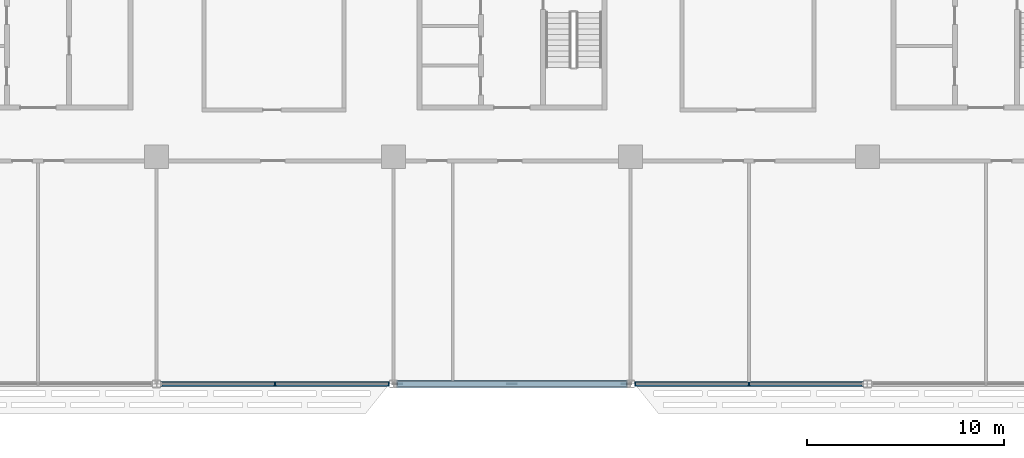
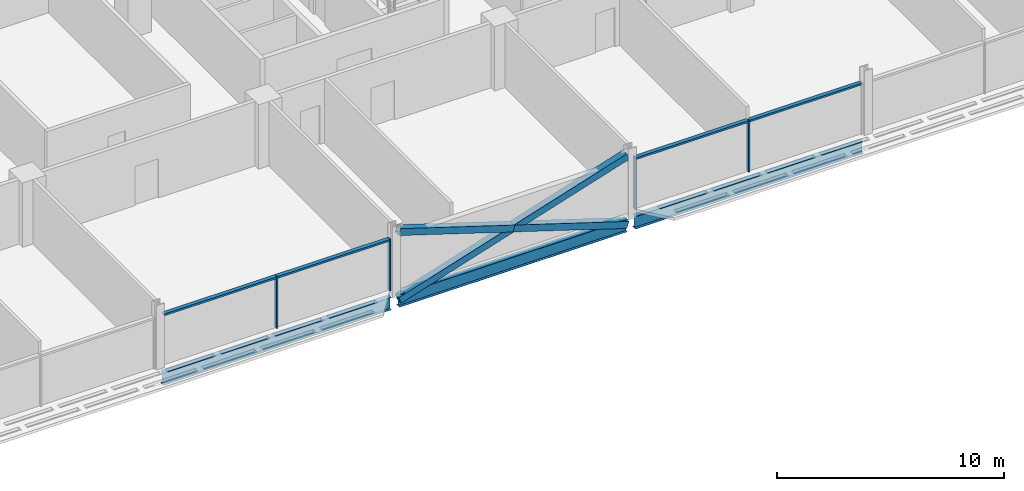
# One storey, part 5 of 27: 11 members, 3 beams, 2 elements without a shape of their own.
"""IFC4 building model written with IfcOpenShell, lengths in metres."""

import ifcopenshell
import ifcopenshell.guid

model = None  # the IFC model being written
_history = None  # IfcOwnerHistory: only IFC2X3 demands one
_inside = {}  # id of a spatial element -> (the spatial element, [elements in it])
_under = {}  # id of a project, library or spatial element -> (it, [spatial elements below it])
_declared = {}  # id of a project -> (the project, [libraries it declares])
_typed = {}  # id of a type object -> (the type object, [elements of that type])
_made_of = {}  # id of a material, layer set ... -> (it, [elements and type objects made of it])


def new_model(schema):
    """Start an empty IFC model of exactly this schema.

    Asked for "IFC4X3", IfcOpenShell would pick the latest addendum, in which some entities
    have other attributes; the version numbers below select the first issue.
    IFC2X3 requires an IfcOwnerHistory on every rooted entity: one is made here for all.
    """
    global model, _history
    if schema == "IFC4X3":
        model = ifcopenshell.file(schema_version=(4, 3, 0, 0))
    else:
        model = ifcopenshell.file(schema=schema)
    _inside.clear()
    _under.clear()
    _declared.clear()
    _typed.clear()
    _made_of.clear()
    _history = None
    if model.schema == "IFC2X3":
        org = make("IfcOrganization", Name="unknown")
        user = make(
            "IfcPersonAndOrganization",
            ThePerson=make("IfcPerson", FamilyName="unknown"),
            TheOrganization=org,
        )
        app = make(
            "IfcApplication",
            ApplicationDeveloper=org,
            Version="unknown",
            ApplicationFullName="unknown",
            ApplicationIdentifier="unknown",
        )
        _history = make(
            "IfcOwnerHistory",
            OwningUser=user,
            OwningApplication=app,
            ChangeAction="ADDED",
            CreationDate=0,
        )
    return model


def make(cls, **values):
    """One entity of the class cls with the attributes given. An attribute that is None is left unset."""
    return model.create_entity(
        cls, **{name: value for name, value in values.items() if value is not None}
    )


def rooted(cls, **values):
    """An entity with a GlobalId (a new one), such as an element, a storey or a relation."""
    return make(cls, GlobalId=ifcopenshell.guid.new(), OwnerHistory=_history, **values)


def si_unit(unit_type, name, prefix=None):
    """IfcSIUnit, for example si_unit("LENGTHUNIT", "METRE", prefix="MILLI")."""
    return make("IfcSIUnit", UnitType=unit_type, Prefix=prefix, Name=name)


def assignment(units):
    """IfcUnitAssignment: the units of a project."""
    return None if units is None else make("IfcUnitAssignment", Units=units)


def point(xyz):
    """IfcCartesianPoint."""
    return None if xyz is None else make("IfcCartesianPoint", Coordinates=xyz)


def direction(xyz):
    """IfcDirection."""
    return None if xyz is None else make("IfcDirection", DirectionRatios=xyz)


def frame(location, z_axis=None, x_axis=None):
    """IfcAxis2Placement3D, a coordinate frame: its origin and axes. An axis left out is left unset."""
    return make(
        "IfcAxis2Placement3D",
        Location=point(location),
        Axis=direction(z_axis),
        RefDirection=direction(x_axis),
    )


def frame_2d(location, x_axis=None):
    """IfcAxis2Placement2D, a coordinate frame in the plane: its origin and x axis."""
    return make(
        "IfcAxis2Placement2D", Location=point(location), RefDirection=direction(x_axis)
    )


def origin():
    """The frame at (0, 0, 0) with its axes left unset."""
    return frame((0.0, 0.0, 0.0))


def origin_2d():
    """The frame at (0, 0) in the plane with its x axis left unset."""
    return frame_2d((0.0, 0.0))


def place(relative_to, where):
    """IfcLocalPlacement: puts the frame where relative to a parent placement (None: the world)."""
    return make(
        "IfcLocalPlacement", PlacementRelTo=relative_to, RelativePlacement=where
    )


def context(
    kind, dimensions, precision=None, world=None, true_north=None, identifier=None
):
    """IfcGeometricRepresentationContext, for example the 3D "Model" context."""
    return make(
        "IfcGeometricRepresentationContext",
        ContextIdentifier=identifier,
        ContextType=kind,
        CoordinateSpaceDimension=dimensions,
        Precision=precision,
        WorldCoordinateSystem=world,
        TrueNorth=true_north,
    )


def subcontext(parent, identifier, kind, view, scale=None):
    """IfcGeometricRepresentationSubContext, for example "Body" below "Model"."""
    return make(
        "IfcGeometricRepresentationSubContext",
        ContextIdentifier=identifier,
        ContextType=kind,
        ParentContext=parent,
        TargetScale=scale,
        TargetView=view,
    )


def project(units=None, contexts=None):
    """IfcProject with its units and contexts."""
    return rooted(
        "IfcProject",
        Name="project",
        RepresentationContexts=contexts,
        UnitsInContext=assignment(units),
    )


def spatial(cls, under=None, at=None, **own):
    """A site, building, storey or space (cls), placed at a placement, below another one or the project."""
    s = rooted(cls, ObjectPlacement=at, **own)
    if under is not None:
        _under.setdefault(under.id(), (under, []))[1].append(s)
    return s


def profile(cls, at=None, kind="AREA", **sizes):
    """A parametric profile (cls). Its sizes go by their IFC names, for example OverallWidth=200.0."""
    return make(cls, ProfileType=kind, Position=at, **sizes)


def rectangle(**sizes):
    """IfcRectangleProfileDef."""
    return profile("IfcRectangleProfileDef", **sizes)


def hollow_rectangle(**sizes):
    """IfcRectangleHollowProfileDef."""
    return profile("IfcRectangleHollowProfileDef", **sizes)


def i_section(**sizes):
    """IfcIShapeProfileDef."""
    return profile("IfcIShapeProfileDef", **sizes)


def extrude(swept, where, along, depth):
    """IfcExtrudedAreaSolid: the profile swept, set in the frame where, extruded along a direction by depth."""
    return make(
        "IfcExtrudedAreaSolid",
        SweptArea=swept,
        Position=where,
        ExtrudedDirection=direction(along),
        Depth=depth,
    )


def shape(context_of_items, identifier, shape_type, items):
    """IfcShapeRepresentation: the items that make up one representation, for example the "Body"."""
    return make(
        "IfcShapeRepresentation",
        ContextOfItems=context_of_items,
        RepresentationIdentifier=identifier,
        RepresentationType=shape_type,
        Items=items,
    )


def material(Name=None, Category=None):
    """IfcMaterial."""
    return make("IfcMaterial", Name=Name, Category=Category)


def material_profile(
    of_material, cross_section, Name=None, Category=None, Priority=None
):
    """IfcMaterialProfile: a cross section and its material."""
    return make(
        "IfcMaterialProfile",
        Name=Name,
        Material=of_material,
        Profile=cross_section,
        Priority=Priority,
        Category=Category,
    )


def profile_set(profiles, Name=None, composite=None):
    """IfcMaterialProfileSet."""
    return make(
        "IfcMaterialProfileSet",
        Name=Name,
        MaterialProfiles=profiles,
        CompositeProfile=composite,
    )


def made_of(thing, what):
    """Note that an element or type object is made of a material, layer set ...; save() writes the relation."""
    if what is not None:
        _made_of.setdefault(what.id(), (what, []))[1].append(thing)
    return thing


def type_object(cls, material=None, **own):
    """A type object (cls), such as IfcWallType, which elements share."""
    return made_of(rooted(cls, **own), material)


def element(
    cls,
    number,
    at=None,
    inside=None,
    cuts=None,
    type_object=None,
    material=None,
    context=None,
    identifier="Body",
    shape_type=None,
    held_by="IfcProductDefinitionShape",
    body=None,
    shapes=None,
    **own,
):
    """One element of the class cls, such as IfcWall. Its Tag is "e" and its number.

    at: its placement. inside: the storey or other place that contains it. cuts: it is an
    opening in that element (IfcRelVoidsElement). A single representation is given by context,
    identifier, shape_type and body (its items); several are given by shapes. held_by: the class
    of the entity that holds the representations. save() writes the other relations.
    """
    e = rooted(cls, Tag="e%d" % number, ObjectPlacement=at, **own)
    if body is not None:
        shapes = [shape(context, identifier, shape_type, body)]
    if shapes is not None:
        e.Representation = make(held_by, Representations=shapes)
    if inside is not None:
        _inside.setdefault(inside.id(), (inside, []))[1].append(e)
    if cuts is not None:
        rooted(
            "IfcRelVoidsElement", RelatingBuildingElement=cuts, RelatedOpeningElement=e
        )
    if type_object is not None:
        _typed.setdefault(type_object.id(), (type_object, []))[1].append(e)
    return made_of(e, material)


def aggregate(whole, parts):
    """IfcRelAggregates: a whole, such as a stair, and the parts it consists of."""
    return rooted("IfcRelAggregates", RelatingObject=whole, RelatedObjects=parts)


def save(model, path):
    """Write the relations noted so far, then the file.

    IfcRelAggregates (storeys below a building ...), IfcRelContainedInSpatialStructure (elements
    in a storey), IfcRelDefinesByType, IfcRelAssociatesMaterial and IfcRelDeclares: one each for
    every whole, place, type object, material and project.
    """
    for whole, parts in _under.values():
        aggregate(whole, parts)
    for where, things in _inside.values():
        rooted(
            "IfcRelContainedInSpatialStructure",
            RelatedElements=things,
            RelatingStructure=where,
        )
    for kind, things in _typed.values():
        rooted("IfcRelDefinesByType", RelatedObjects=things, RelatingType=kind)
    for what, things in _made_of.values():
        rooted("IfcRelAssociatesMaterial", RelatedObjects=things, RelatingMaterial=what)
    for by, libraries in _declared.values():
        rooted("IfcRelDeclares", RelatingContext=by, RelatedDefinitions=libraries)
    model.write(path)


model = new_model("IFC4")

# Units and contexts
model_context = context("Model", 3, precision=1e-05, world=origin(), true_north=direction((0.0, 1.0)))
body_context = subcontext(model_context, "Body", "Model", "MODEL_VIEW")
ifc_project = project(units=[si_unit("LENGTHUNIT", "METRE"), si_unit("AREAUNIT", "SQUARE_METRE"), si_unit("VOLUMEUNIT", "CUBIC_METRE"), si_unit("PLANEANGLEUNIT", "RADIAN"), si_unit("MASSUNIT", "GRAM", prefix="KILO")], contexts=[model_context])

# Site, building, storey
site_placement = place(None, origin())
site = spatial("IfcSite", under=ifc_project, at=site_placement, CompositionType="ELEMENT")
building_placement = place(site_placement, origin())
building = spatial("IfcBuilding", under=site, at=building_placement, Name="Mahtab Terrace Research Tower", CompositionType="ELEMENT")
storey_placement = place(building_placement, frame((0.0, 0.0, 166.800048828125)))
storey = spatial("IfcBuildingStorey", under=building, at=storey_placement, Name="L39", CompositionType="ELEMENT", Elevation=166.800048828125)

# Members
ifc_material_1 = material(Name="Steel ASTM A500 Gr C", Category="steel")
ifc_material_profile_1 = material_profile(ifc_material_1, hollow_rectangle(XDim=0.355712890625, YDim=0.355712890625, WallThickness=0.015869140625, at=origin_2d()), Name="HSS14X14X5/8")
ifc_profile_set_1 = profile_set([ifc_material_profile_1], Name="Steel ASTM A500 Gr C")
member_type_1 = type_object("IfcMemberType", Name="HSS 14x14x5/8 brace XB141458", PredefinedType="BRACE", material=ifc_profile_set_1)
member_1_placement = place(storey_placement, frame((-5.796875, -23.0, -0.61474609375), z_axis=(0.953347232701, 0.0, 0.301875891554), x_axis=(0.0, 1.0, 0.0)))
element("IfcMember", 1, at=member_1_placement, inside=storey, type_object=member_type_1, Name="Exoskeleton brace L39 15 a", PredefinedType="BRACE", context=body_context, shape_type="SweptSolid", body=[
    extrude(hollow_rectangle(XDim=0.355712890625, YDim=0.355712890625, WallThickness=0.015869140625, at=origin_2d()), origin(), (0.0, 0.0, 1.0), 12.1611328125),
])
for number, where, z_axis, x_axis, name in (
    (2, (5.796875, -23.0, -0.61474609375), (-0.953341454971, 0.0, 0.301894137463), (0.0, -1.0, 0.0), "Exoskeleton brace L39 15 b1"),
    (3, (0.0, -23.0, 1.220947265625), (-0.953353010152, 0.0, 0.301857645313), (0.0, -1.0, 0.0), "Exoskeleton brace L39 15 b2"),
):
    element("IfcMember", number, at=place(storey_placement, frame(where, z_axis=z_axis, x_axis=x_axis)), inside=storey, type_object=member_type_1, Name=name, PredefinedType="BRACE", context=body_context, shape_type="SweptSolid", body=[
        extrude(hollow_rectangle(XDim=0.355712890625, YDim=0.355712890625, WallThickness=0.015869140625, at=origin_2d()), origin(), (0.0, 0.0, 1.0), 6.08056640625),
    ])

# Curtain wall, members
ifc_material_2 = material(Name="Laboratory ribbon curtain wall")
curtain_wall_type = type_object("IfcCurtainWallType", Name="Laboratory ribbon curtain wall", PredefinedType="NOTDEFINED", material=ifc_material_2)
curtain_wall_1_placement = place(storey_placement, origin())
curtain_wall_1 = element("IfcCurtainWall", 4, at=curtain_wall_1_placement, inside=storey, type_object=curtain_wall_type, Name="EN.L39.13.25", PredefinedType="NOTDEFINED")
ifc_material_3 = material(Name="Natural anodised aluminium", Category="aluminium")
ifc_material_profile_2 = material_profile(ifc_material_3, rectangle(XDim=0.199951171875, YDim=0.06494140625, at=origin_2d()), Name="MULLION 65x200")
ifc_profile_set_2 = profile_set([ifc_material_profile_2], Name="Natural anodised aluminium")
member_type_2 = type_object("IfcMemberType", Name="Laboratory ribbon curtain wall mullion", PredefinedType="MULLION", material=ifc_profile_set_2)
member_2_placement = place(storey_placement, frame((-12.0, -23.0, 0.0), z_axis=(0.0, 0.0, 1.0), x_axis=(0.0, 1.0, 0.0)))
member_2 = element("IfcMember", 5, at=member_2_placement, type_object=member_type_2, Name="CWL-5 mullion 2", PredefinedType="MULLION", context=body_context, shape_type="SweptSolid", body=[
    extrude(rectangle(XDim=0.199951171875, YDim=0.06494140625, at=origin_2d()), origin(), (0.0, 0.0, 1.0), 2.78173828125),
])
member_3_placement = place(storey_placement, frame((-6.240478515625, -23.0, 0.0), z_axis=(0.0, 0.0, 1.0), x_axis=(0.0, 1.0, 0.0)))
member_3 = element("IfcMember", 6, at=member_3_placement, type_object=member_type_2, Name="CWL-5 mullion 3", PredefinedType="MULLION", context=body_context, shape_type="SweptSolid", body=[
    extrude(rectangle(XDim=0.199951171875, YDim=0.06494140625, at=origin_2d()), origin(), (0.0, 0.0, 1.0), 2.78173828125),
])

curtain_wall_2_placement = place(storey_placement, origin())
curtain_wall_2 = element("IfcCurtainWall", 7, at=curtain_wall_2_placement, inside=storey, type_object=curtain_wall_type, Name="EN.L39.13.27", PredefinedType="NOTDEFINED")
member_4_placement = place(storey_placement, frame((6.240478515625, -23.0, 0.0), z_axis=(0.0, 0.0, 1.0), x_axis=(0.0, 1.0, 0.0)))
member_4 = element("IfcMember", 8, at=member_4_placement, type_object=member_type_2, Name="CWL-5 mullion 1", PredefinedType="MULLION", context=body_context, shape_type="SweptSolid", body=[
    extrude(rectangle(XDim=0.199951171875, YDim=0.06494140625, at=origin_2d()), origin(), (0.0, 0.0, 1.0), 2.78173828125),
])
member_5_placement = place(storey_placement, frame((12.0, -23.0, 0.0), z_axis=(0.0, 0.0, 1.0), x_axis=(0.0, 1.0, 0.0)))
member_5 = element("IfcMember", 9, at=member_5_placement, type_object=member_type_2, Name="CWL-5 mullion 2", PredefinedType="MULLION", context=body_context, shape_type="SweptSolid", body=[
    extrude(rectangle(XDim=0.199951171875, YDim=0.06494140625, at=origin_2d()), origin(), (0.0, 0.0, 1.0), 2.78173828125),
])

# Member
ifc_material_profile_3 = material_profile(ifc_material_3, rectangle(XDim=0.199951171875, YDim=0.10009765625, at=origin_2d()), Name="TRANSOM 100x200")
ifc_profile_set_3 = profile_set([ifc_material_profile_3], Name="Natural anodised aluminium")
member_type_3 = type_object("IfcMemberType", Name="Laboratory ribbon curtain wall transom", PredefinedType="USERDEFINED", material=ifc_profile_set_3)
member_6_placement = place(storey_placement, frame((-17.72705078125, -23.0, 2.731689453125), z_axis=(1.0, 0.0, 0.0), x_axis=(0.0, 1.0, 0.0)))
member_6 = element("IfcMember", 10, at=member_6_placement, type_object=member_type_3, Name="CWL-5 transom 1", ObjectType="TRANSOM", PredefinedType="USERDEFINED", context=body_context, shape_type="SweptSolid", body=[
    extrude(rectangle(XDim=0.199951171875, YDim=0.10009765625, at=origin_2d()), origin(), (0.0, 0.0, 1.0), 5.694580078125),
])

member_7_placement = place(storey_placement, frame((-11.967529296875, -23.0, 2.731689453125), z_axis=(1.0, 0.0, 0.0), x_axis=(0.0, 1.0, 0.0)))
member_7 = element("IfcMember", 11, at=member_7_placement, type_object=member_type_3, Name="CWL-5 transom 2", ObjectType="TRANSOM", PredefinedType="USERDEFINED", context=body_context, shape_type="SweptSolid", body=[
    extrude(rectangle(XDim=0.199951171875, YDim=0.10009765625, at=origin_2d()), origin(), (0.0, 0.0, 1.0), 5.694580078125),
])

aggregate(curtain_wall_1, [member_2, member_3, member_6, member_7])

member_8_placement = place(storey_placement, frame((6.27294921875, -23.0, 2.731689453125), z_axis=(1.0, 0.0, 0.0), x_axis=(0.0, 1.0, 0.0)))
member_8 = element("IfcMember", 12, at=member_8_placement, type_object=member_type_3, Name="CWL-5 transom 1", ObjectType="TRANSOM", PredefinedType="USERDEFINED", context=body_context, shape_type="SweptSolid", body=[
    extrude(rectangle(XDim=0.199951171875, YDim=0.10009765625, at=origin_2d()), origin(), (0.0, 0.0, 1.0), 5.694580078125),
])

member_9_placement = place(storey_placement, frame((12.032470703125, -23.0, 2.731689453125), z_axis=(1.0, 0.0, 0.0), x_axis=(0.0, 1.0, 0.0)))
member_9 = element("IfcMember", 13, at=member_9_placement, type_object=member_type_3, Name="CWL-5 transom 2", ObjectType="TRANSOM", PredefinedType="USERDEFINED", context=body_context, shape_type="SweptSolid", body=[
    extrude(rectangle(XDim=0.199951171875, YDim=0.10009765625, at=origin_2d()), origin(), (0.0, 0.0, 1.0), 5.694580078125),
])

aggregate(curtain_wall_2, [member_4, member_5, member_8, member_9])

# Beams
ifc_material_4 = material(Name="Steel ASTM A992 Gr 50", Category="steel")
ifc_material_profile_4 = material_profile(ifc_material_4, i_section(OverallWidth=0.25390625, OverallDepth=0.67822265625, WebThickness=0.01171875, FlangeThickness=0.016357421875, at=origin_2d()), Name="W27X84")
ifc_profile_set_4 = profile_set([ifc_material_profile_4], Name="Steel ASTM A992 Gr 50")
beam_type = type_object("IfcBeamType", Name="W27x84 beam BS2784", PredefinedType="BEAM", material=ifc_profile_set_4)
for number, where, z_axis, x_axis, name in (
    (14, (-17.796875, -23.0, -0.67919921875), (1.0, 0.0, 0.0), (0.0, 1.0, 0.0), "Spandrel beam L39 14"),
    (15, (-5.796875, -23.0, -0.67919921875), (1.0, 0.0, 0.0), (0.0, 1.0, 0.0), "Spandrel beam L39 15"),
    (16, (6.203125, -23.0, -0.67919921875), (1.0, 0.0, 0.0), (0.0, 1.0, 0.0), "Spandrel beam L39 16"),
):
    element("IfcBeam", number, at=place(storey_placement, frame(where, z_axis=z_axis, x_axis=x_axis)), inside=storey, type_object=beam_type, Name=name, PredefinedType="BEAM", context=body_context, shape_type="SweptSolid", body=[
        extrude(i_section(OverallWidth=0.25390625, OverallDepth=0.67822265625, WebThickness=0.01171875, FlangeThickness=0.016357421875, at=origin_2d()), origin(), (0.0, 0.0, 1.0), 11.59375),
    ])

save(model, "model.ifc")
